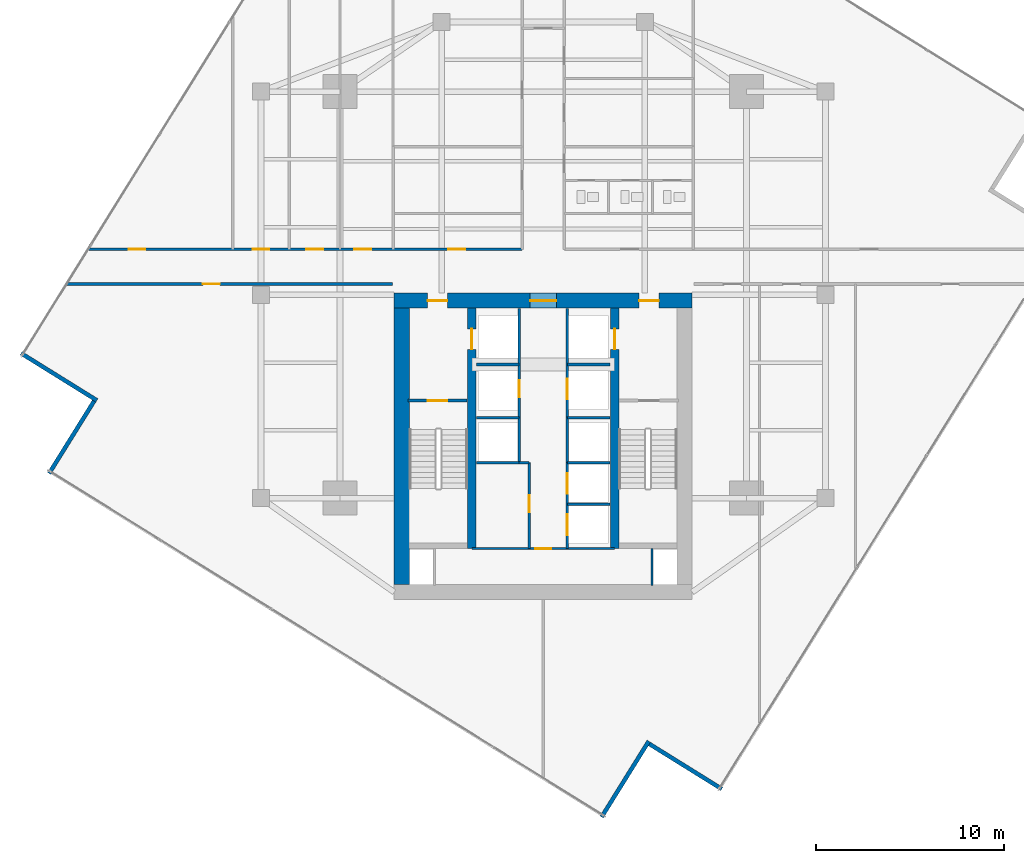
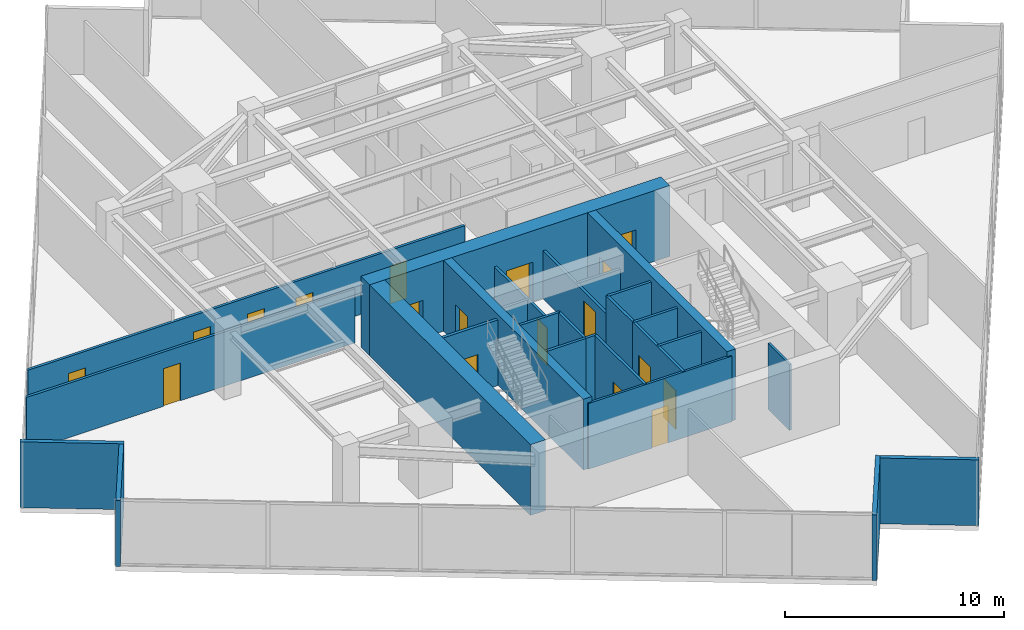
# One storey, part 21 of 25: 27 walls, 18 doors, 18 openings.
"""IFC4 building model written with IfcOpenShell, lengths in metres."""

from ifc_helpers import new_model, si_unit, direction, frame, frame_2d, origin, place, context, subcontext, project, spatial, rectangle, extrude, material, layer, layer_set, type_object, element, fill, save


model = new_model("IFC4")

# Units and contexts
model_context = context("Model", 3, precision=1e-05, world=origin(), true_north=direction((0.0, 1.0)))
body_context = subcontext(model_context, "Body", "Model", "MODEL_VIEW")
ifc_project = project(units=[si_unit("LENGTHUNIT", "METRE"), si_unit("AREAUNIT", "SQUARE_METRE"), si_unit("VOLUMEUNIT", "CUBIC_METRE"), si_unit("PLANEANGLEUNIT", "RADIAN"), si_unit("MASSUNIT", "GRAM", prefix="KILO")], contexts=[model_context])

# Site, building, storey
site_placement = place(None, origin())
site = spatial("IfcSite", under=ifc_project, at=site_placement, CompositionType="ELEMENT")
building_placement = place(site_placement, origin())
building = spatial("IfcBuilding", under=site, at=building_placement, Name="Krantzveldt Concourse Tower", CompositionType="ELEMENT")
storey_placement = place(building_placement, frame((0.0, 0.0, 181.75)))
storey = spatial("IfcBuildingStorey", under=building, at=storey_placement, Name="L44", CompositionType="ELEMENT", Elevation=181.75)

# Walls
ifc_material_1 = material(Name="Anodised aluminium 6063-T6", Category="aluminium")
ifc_layer_1 = layer(ifc_material_1, 0.219970703125, Name="Anodised aluminium 6063-T6", Category="aluminium")
ifc_layer_set_1 = layer_set([ifc_layer_1], Name="Anodised aluminium 6063-T6 (WL-EXT-NOTCH220)")
wall_type_1 = type_object("IfcWallType", Name="WL-EXT-NOTCH220", PredefinedType="ELEMENTEDWALL", material=ifc_layer_set_1)
wall_1_placement = place(storey_placement, frame((8.2509765625, 23.59521484375, 0.0), z_axis=(0.0, 0.0, 1.0), x_axis=(0.84921299194, -0.528050465694, 0.0)))
element("IfcWall", 1, at=wall_1_placement, inside=storey, type_object=wall_type_1, Name="EW-L44-NCH02", PredefinedType="ELEMENTEDWALL", context=body_context, shape_type="SweptSolid", body=[
    extrude(rectangle(XDim=4.7451171875, YDim=0.219970703125, at=frame_2d((2.37255859375, 0.0))), origin(), (0.0, 0.0, 1.0), 3.669921875),
])
wall_2_placement = place(storey_placement, frame((12.12890625, 21.05419921875, 0.0), z_axis=(0.0, 0.0, 1.0), x_axis=(-0.528038242514, -0.849220592333, 0.0)))
element("IfcWall", 2, at=wall_2_placement, inside=storey, type_object=wall_type_1, Name="EW-L44-NCH03", PredefinedType="ELEMENTEDWALL", context=body_context, shape_type="SweptSolid", body=[
    extrude(rectangle(XDim=4.525146484375, YDim=0.219970703125, at=frame_2d((2.2626953125, 0.0))), origin(), (0.0, 0.0, 1.0), 3.669921875),
])
wall_3_placement = place(storey_placement, frame((39.104736328125, -1.049072265625, 0.0), z_axis=(0.0, 0.0, 1.0), x_axis=(0.528087569346, 0.849189919336, 0.0)))
element("IfcWall", 3, at=wall_3_placement, inside=storey, type_object=wall_type_1, Name="EW-L44-NCH05", PredefinedType="ELEMENTEDWALL", context=body_context, shape_type="SweptSolid", body=[
    extrude(rectangle(XDim=4.7451171875, YDim=0.219970703125, at=frame_2d((2.37255859375, 0.0))), origin(), (0.0, 0.0, 1.0), 3.669921875),
])
wall_4_placement = place(storey_placement, frame((41.645751953125, 2.828857421875, 0.0), z_axis=(0.0, 0.0, 1.0), x_axis=(0.849220592333, -0.528038242514, 0.0)))
element("IfcWall", 4, at=wall_4_placement, inside=storey, type_object=wall_type_1, Name="EW-L44-NCH06", PredefinedType="ELEMENTEDWALL", context=body_context, shape_type="SweptSolid", body=[
    extrude(rectangle(XDim=4.525146484375, YDim=0.219970703125, at=frame_2d((2.2626953125, 0.0))), origin(), (0.0, 0.0, 1.0), 3.669921875),
])

# Wall, opening, door
ifc_material_2 = material(Name="Fire-rated gypsum plasterboard on steel stud", Category="steel")
ifc_layer_2 = layer(ifc_material_2, 0.1201171875, Name="Fire-rated gypsum plasterboard on steel stud", Category="steel")
ifc_layer_set_2 = layer_set([ifc_layer_2], Name="Fire-rated gypsum plasterboard on steel stud (WL-PART-120)")
wall_type_2 = type_object("IfcWallType", Name="WL-PART-120", PredefinedType="PARTITIONING", material=ifc_layer_set_2)
wall_5_placement = place(storey_placement, frame((32.2099609375, 13.219970703125, 0.0), z_axis=(0.0, 0.0, 1.0), x_axis=(1.0, 0.0, 0.0)))
wall_5 = element("IfcWall", 5, at=wall_5_placement, inside=storey, type_object=wall_type_2, Name="WP-L44-CS2H", PredefinedType="PARTITIONING", context=body_context, shape_type="SweptSolid", body=[
    extrude(rectangle(XDim=7.580078125, YDim=0.1201171875, at=frame_2d((3.7900390625, 0.0))), origin(), (0.0, 0.0, 1.0), 3.669921875),
])
opening_1_placement = place(wall_5_placement, frame((3.364990234375, 0.0, 0.0)))
opening_1 = element("IfcOpeningElement", 6, at=opening_1_placement, cuts=wall_5, Name="Opening D-IN085", PredefinedType="OPENING", context=body_context, shape_type="SweptSolid", body=[
    extrude(rectangle(XDim=0.85009765625, YDim=2.10009765625, at=frame_2d((0.425048828125, 1.050048828125))), frame((0.0, 0.070068359375, 0.0), z_axis=(0.0, -1.0, 0.0), x_axis=(1.0, 0.0, 0.0)), (0.0, 0.0, 1.0), 0.14013671875),
])
ifc_material_3 = material(Name="Hardwood timber", Category="wood")
door_type_1 = type_object("IfcDoorType", Name="DR-INT-850", OperationType="SINGLE_SWING_LEFT", PredefinedType="DOOR", material=ifc_material_3)
door_1_placement = place(opening_1_placement, origin())
door_1 = element("IfcDoor", 7, at=door_1_placement, inside=storey, type_object=door_type_1, Name="DR-L44-CSC1", OperationType="SINGLE_SWING_RIGHT", OverallHeight=2.10009765625, OverallWidth=0.85009765625, PredefinedType="DOOR", context=body_context, shape_type="SweptSolid", body=[
    extrude(rectangle(XDim=0.85009765625, YDim=2.10009765625, at=frame_2d((0.425048828125, 1.050048828125))), frame((0.0, 0.02490234375, 0.0), z_axis=(0.0, -1.0, 0.0), x_axis=(1.0, 0.0, 0.0)), (0.0, 0.0, 1.0), 0.050048828125),
])
fill(opening_1, door_1)

# Wall, openings, doors
ifc_layer_3 = layer(ifc_material_2, 0.139892578125, Name="Fire-rated gypsum plasterboard on steel stud", Category="steel")
ifc_layer_set_3 = layer_set([ifc_layer_3], Name="Fire-rated gypsum plasterboard on steel stud (WL-PART-140)")
wall_type_3 = type_object("IfcWallType", Name="WL-PART-140", PredefinedType="PARTITIONING", material=ifc_layer_set_3)
wall_6_placement = place(storey_placement, frame((11.822021484375, 29.1201171875, 0.0), z_axis=(0.0, 0.0, 1.0), x_axis=(1.0, 0.0, 0.0)))
wall_6 = element("IfcWall", 8, at=wall_6_placement, inside=storey, type_object=wall_type_3, Name="WP-L44-EWNL", PredefinedType="PARTITIONING", context=body_context, shape_type="SweptSolid", body=[
    extrude(rectangle(XDim=23.057861328125, YDim=0.139892578125, at=frame_2d((11.52880859375, 0.0))), origin(), (0.0, 0.0, 1.0), 3.030029296875),
])
opening_2_placement = place(wall_6_placement, frame((19.128173828125, 0.0, 0.0)))
opening_2 = element("IfcOpeningElement", 9, at=opening_2_placement, cuts=wall_6, Name="Opening D-IN090", PredefinedType="OPENING", context=body_context, shape_type="SweptSolid", body=[
    extrude(rectangle(XDim=0.89990234375, YDim=2.10009765625, at=frame_2d((0.449951171875, 1.050048828125))), frame((0.0, 0.080078125, 0.0), z_axis=(0.0, -1.0, 0.0), x_axis=(1.0, 0.0, 0.0)), (0.0, 0.0, 1.0), 0.159912109375),
])
opening_3_placement = place(wall_6_placement, frame((2.13720703125, 0.0, 0.0)))
opening_3 = element("IfcOpeningElement", 10, at=opening_3_placement, cuts=wall_6, Name="Opening D-IN090", PredefinedType="OPENING", context=body_context, shape_type="SweptSolid", body=[
    extrude(rectangle(XDim=0.89990234375, YDim=2.10009765625, at=frame_2d((0.449951171875, 1.050048828125))), frame((0.0, 0.080078125, 0.0), z_axis=(0.0, -1.0, 0.0), x_axis=(1.0, 0.0, 0.0)), (0.0, 0.0, 1.0), 0.159912109375),
])
opening_4_placement = place(wall_6_placement, frame((8.72802734375, 0.0, 0.0)))
opening_4 = element("IfcOpeningElement", 11, at=opening_4_placement, cuts=wall_6, Name="Opening D-IN090", PredefinedType="OPENING", context=body_context, shape_type="SweptSolid", body=[
    extrude(rectangle(XDim=0.89990234375, YDim=2.10009765625, at=frame_2d((0.449951171875, 1.050048828125))), frame((0.0, 0.080078125, 0.0), z_axis=(0.0, -1.0, 0.0), x_axis=(1.0, 0.0, 0.0)), (0.0, 0.0, 1.0), 0.159912109375),
])
opening_5_placement = place(wall_6_placement, frame((11.578125, 0.0, 0.0)))
opening_5 = element("IfcOpeningElement", 12, at=opening_5_placement, cuts=wall_6, Name="Opening D-IN090", PredefinedType="OPENING", context=body_context, shape_type="SweptSolid", body=[
    extrude(rectangle(XDim=0.89990234375, YDim=2.10009765625, at=frame_2d((0.449951171875, 1.050048828125))), frame((0.0, 0.080078125, 0.0), z_axis=(0.0, -1.0, 0.0), x_axis=(1.0, 0.0, 0.0)), (0.0, 0.0, 1.0), 0.159912109375),
])
opening_6_placement = place(wall_6_placement, frame((14.128173828125, 0.0, 0.0)))
opening_6 = element("IfcOpeningElement", 13, at=opening_6_placement, cuts=wall_6, Name="Opening D-IN090", PredefinedType="OPENING", context=body_context, shape_type="SweptSolid", body=[
    extrude(rectangle(XDim=0.89990234375, YDim=2.10009765625, at=frame_2d((0.449951171875, 1.050048828125))), frame((0.0, 0.080078125, 0.0), z_axis=(0.0, -1.0, 0.0), x_axis=(1.0, 0.0, 0.0)), (0.0, 0.0, 1.0), 0.159912109375),
])
door_type_2 = type_object("IfcDoorType", Name="DR-INT-900", OperationType="SINGLE_SWING_LEFT", PredefinedType="DOOR", material=ifc_material_3)
door_2_placement = place(opening_2_placement, origin())
door_2 = element("IfcDoor", 14, at=door_2_placement, inside=storey, type_object=door_type_2, Name="DR-L44-ALCL", OperationType="SINGLE_SWING_LEFT", OverallHeight=2.10009765625, OverallWidth=0.89990234375, PredefinedType="DOOR", context=body_context, shape_type="SweptSolid", body=[
    extrude(rectangle(XDim=0.89990234375, YDim=2.10009765625, at=frame_2d((0.449951171875, 1.050048828125))), frame((0.0, 0.02490234375, 0.0), z_axis=(0.0, -1.0, 0.0), x_axis=(1.0, 0.0, 0.0)), (0.0, 0.0, 1.0), 0.050048828125),
])
fill(opening_2, door_2)
door_3_placement = place(opening_3_placement, origin())
door_3 = element("IfcDoor", 15, at=door_3_placement, inside=storey, type_object=door_type_2, Name="DR-L44-NWX1", OperationType="SINGLE_SWING_LEFT", OverallHeight=2.10009765625, OverallWidth=0.89990234375, PredefinedType="DOOR", context=body_context, shape_type="SweptSolid", body=[
    extrude(rectangle(XDim=0.89990234375, YDim=2.10009765625, at=frame_2d((0.449951171875, 1.050048828125))), frame((0.0, 0.02490234375, 0.0), z_axis=(0.0, -1.0, 0.0), x_axis=(1.0, 0.0, 0.0)), (0.0, 0.0, 1.0), 0.050048828125),
])
fill(opening_3, door_3)
door_4_placement = place(opening_4_placement, origin())
door_4 = element("IfcDoor", 16, at=door_4_placement, inside=storey, type_object=door_type_2, Name="DR-L44-NWX2", OperationType="SINGLE_SWING_LEFT", OverallHeight=2.10009765625, OverallWidth=0.89990234375, PredefinedType="DOOR", context=body_context, shape_type="SweptSolid", body=[
    extrude(rectangle(XDim=0.89990234375, YDim=2.10009765625, at=frame_2d((0.449951171875, 1.050048828125))), frame((0.0, 0.02490234375, 0.0), z_axis=(0.0, -1.0, 0.0), x_axis=(1.0, 0.0, 0.0)), (0.0, 0.0, 1.0), 0.050048828125),
])
fill(opening_4, door_4)
door_5_placement = place(opening_5_placement, origin())
door_5 = element("IfcDoor", 17, at=door_5_placement, inside=storey, type_object=door_type_2, Name="DR-L44-NWX3", OperationType="SINGLE_SWING_LEFT", OverallHeight=2.10009765625, OverallWidth=0.89990234375, PredefinedType="DOOR", context=body_context, shape_type="SweptSolid", body=[
    extrude(rectangle(XDim=0.89990234375, YDim=2.10009765625, at=frame_2d((0.449951171875, 1.050048828125))), frame((0.0, 0.02490234375, 0.0), z_axis=(0.0, -1.0, 0.0), x_axis=(1.0, 0.0, 0.0)), (0.0, 0.0, 1.0), 0.050048828125),
])
fill(opening_5, door_5)
door_6_placement = place(opening_6_placement, origin())
door_6 = element("IfcDoor", 18, at=door_6_placement, inside=storey, type_object=door_type_2, Name="DR-L44-NWX4", OperationType="SINGLE_SWING_LEFT", OverallHeight=2.10009765625, OverallWidth=0.89990234375, PredefinedType="DOOR", context=body_context, shape_type="SweptSolid", body=[
    extrude(rectangle(XDim=0.89990234375, YDim=2.10009765625, at=frame_2d((0.449951171875, 1.050048828125))), frame((0.0, 0.02490234375, 0.0), z_axis=(0.0, -1.0, 0.0), x_axis=(1.0, 0.0, 0.0)), (0.0, 0.0, 1.0), 0.050048828125),
])
fill(opening_6, door_6)

# Wall, opening, door
wall_7_placement = place(storey_placement, frame((10.677734375, 27.280029296875, 0.0), z_axis=(0.0, 0.0, 1.0), x_axis=(1.0, 0.0, 0.0)))
wall_7 = element("IfcWall", 19, at=wall_7_placement, inside=storey, type_object=wall_type_3, Name="WP-L44-EWSL", PredefinedType="PARTITIONING", context=body_context, shape_type="SweptSolid", body=[
    extrude(rectangle(XDim=17.322265625, YDim=0.139892578125, at=frame_2d((8.6611328125, 0.0))), origin(), (0.0, 0.0, 1.0), 3.030029296875),
])
opening_7_placement = place(wall_7_placement, frame((7.231201171875, 0.0, 0.0)))
opening_7 = element("IfcOpeningElement", 20, at=opening_7_placement, cuts=wall_7, Name="Opening D-IN090", PredefinedType="OPENING", context=body_context, shape_type="SweptSolid", body=[
    extrude(rectangle(XDim=0.89990234375, YDim=2.10009765625, at=frame_2d((0.449951171875, 1.050048828125))), frame((0.0, 0.080078125, 0.0), z_axis=(0.0, -1.0, 0.0), x_axis=(1.0, 0.0, 0.0)), (0.0, 0.0, 1.0), 0.159912109375),
])
door_7_placement = place(opening_7_placement, origin())
door_7 = element("IfcDoor", 21, at=door_7_placement, inside=storey, type_object=door_type_2, Name="DR-L44-SWX1", OperationType="SINGLE_SWING_LEFT", OverallHeight=2.10009765625, OverallWidth=0.89990234375, PredefinedType="DOOR", context=body_context, shape_type="SweptSolid", body=[
    extrude(rectangle(XDim=0.89990234375, YDim=2.10009765625, at=frame_2d((0.449951171875, 1.050048828125))), frame((0.0, 0.02490234375, 0.0), z_axis=(0.0, -1.0, 0.0), x_axis=(1.0, 0.0, 0.0)), (0.0, 0.0, 1.0), 0.050048828125),
])
fill(opening_7, door_7)

ifc_layer_4 = layer(ifc_material_2, 0.139892578125, Name="Fire-rated gypsum plasterboard on steel stud", Category="steel")
ifc_layer_set_4 = layer_set([ifc_layer_4], Name="Fire-rated gypsum plasterboard on steel stud (WL-PART-FR140)")
wall_type_4 = type_object("IfcWallType", Name="WL-PART-FR140", PredefinedType="PARTITIONING", material=ifc_layer_set_4)
wall_8_placement = place(storey_placement, frame((34.719970703125, 20.199951171875, 0.0), z_axis=(0.0, 0.0, 1.0), x_axis=(0.0, 1.0, 0.0)))
wall_8 = element("IfcWall", 22, at=wall_8_placement, inside=storey, type_object=wall_type_4, Name="WP-L44-SHNW", PredefinedType="PARTITIONING", context=body_context, shape_type="SweptSolid", body=[
    extrude(rectangle(XDim=5.780029296875, YDim=0.139892578125, at=frame_2d((2.89013671875, 0.0))), origin(), (0.0, 0.0, 1.0), 2.669921875),
])
opening_8_placement = place(wall_8_placement, frame((1.050048828125, 0.0, 0.0)))
opening_8 = element("IfcOpeningElement", 23, at=opening_8_placement, cuts=wall_8, Name="Opening D-FD090", PredefinedType="OPENING", context=body_context, shape_type="SweptSolid", body=[
    extrude(rectangle(XDim=0.89990234375, YDim=2.10009765625, at=frame_2d((0.449951171875, 1.050048828125))), frame((0.0, 0.080078125, 0.0), z_axis=(0.0, -1.0, 0.0), x_axis=(1.0, 0.0, 0.0)), (0.0, 0.0, 1.0), 0.159912109375),
])
door_type_3 = type_object("IfcDoorType", Name="DR-FD60-900", OperationType="SINGLE_SWING_LEFT", PredefinedType="DOOR", material=ifc_material_3)
door_8_placement = place(opening_8_placement, origin())
door_8 = element("IfcDoor", 24, at=door_8_placement, inside=storey, type_object=door_type_3, Name="Electrical Riser Access Door L44", OperationType="SINGLE_SWING_LEFT", OverallHeight=2.10009765625, OverallWidth=0.89990234375, PredefinedType="DOOR", context=body_context, shape_type="SweptSolid", body=[
    extrude(rectangle(XDim=0.89990234375, YDim=2.10009765625, at=frame_2d((0.449951171875, 1.050048828125))), frame((0.0, 0.02490234375, 0.0), z_axis=(0.0, -1.0, 0.0), x_axis=(1.0, 0.0, 0.0)), (0.0, 0.0, 1.0), 0.050048828125),
])
fill(opening_8, door_8)

wall_9_placement = place(storey_placement, frame((37.280029296875, 20.199951171875, 0.0), z_axis=(0.0, 0.0, 1.0), x_axis=(0.0, 1.0, 0.0)))
wall_9 = element("IfcWall", 25, at=wall_9_placement, inside=storey, type_object=wall_type_4, Name="WP-L44-SHNE", PredefinedType="PARTITIONING", context=body_context, shape_type="SweptSolid", body=[
    extrude(rectangle(XDim=5.780029296875, YDim=0.139892578125, at=frame_2d((2.89013671875, 0.0))), origin(), (0.0, 0.0, 1.0), 2.669921875),
])
opening_9_placement = place(wall_9_placement, frame((0.949951171875, 0.0, 0.0)))
opening_9 = element("IfcOpeningElement", 26, at=opening_9_placement, cuts=wall_9, Name="Opening LD", PredefinedType="OPENING", context=body_context, shape_type="SweptSolid", body=[
    extrude(rectangle(XDim=1.10009765625, YDim=2.14990234375, at=frame_2d((0.550048828125, 1.074951171875))), frame((0.0, 0.080078125, 0.0), z_axis=(0.0, -1.0, 0.0), x_axis=(1.0, 0.0, 0.0)), (0.0, 0.0, 1.0), 0.159912109375),
])
ifc_material_4 = material(Name="Stainless steel 316L", Category="steel")
door_type_4 = type_object("IfcDoorType", Name="DR-SLIDE-LD1100", OperationType="DOUBLE_DOOR_SLIDING", PredefinedType="DOOR", material=ifc_material_4)
door_9_placement = place(opening_9_placement, origin())
door_9 = element("IfcDoor", 27, at=door_9_placement, inside=storey, type_object=door_type_4, Name="LD-L44-GL1", OperationType="DOUBLE_DOOR_SLIDING", OverallHeight=2.14990234375, OverallWidth=1.10009765625, PredefinedType="DOOR", context=body_context, shape_type="SweptSolid", body=[
    extrude(rectangle(XDim=1.10009765625, YDim=2.14990234375, at=frame_2d((0.550048828125, 1.074951171875))), frame((0.0, 0.02490234375, 0.0), z_axis=(0.0, -1.0, 0.0), x_axis=(1.0, 0.0, 0.0)), (0.0, 0.0, 1.0), 0.050048828125),
])
fill(opening_9, door_9)

# Walls
for number, where, z_axis, x_axis, name in (
    (28, (32.449951171875, 23.0, 0.0), (0.0, 0.0, 1.0), (1.0, 0.0, 0.0), "WP-L44-RISH"),
    (29, (37.280029296875, 23.0, 0.0), (0.0, 0.0, 1.0), (1.0, 0.0, 0.0), "WP-L44-GLH"),
):
    element("IfcWall", number, at=place(storey_placement, frame(where, z_axis=z_axis, x_axis=x_axis)), inside=storey, type_object=wall_type_4, Name=name, PredefinedType="PARTITIONING", context=body_context, shape_type="SweptSolid", body=[
        extrude(rectangle(XDim=2.27001953125, YDim=0.139892578125, at=frame_2d((1.135009765625, 0.0))), origin(), (0.0, 0.0, 1.0), 2.669921875),
    ])
for number, where, z_axis, x_axis, name in (
    (30, (34.719970703125, 17.780029296875, 0.0), (0.0, 0.0, 1.0), (0.0, 1.0, 0.0), "WP-L44-SHNW2"),
    (31, (37.280029296875, 17.780029296875, 0.0), (0.0, 0.0, 1.0), (0.0, 1.0, 0.0), "WP-L44-SHNE2"),
):
    element("IfcWall", number, at=place(storey_placement, frame(where, z_axis=z_axis, x_axis=x_axis)), inside=storey, type_object=wall_type_4, Name=name, PredefinedType="PARTITIONING", context=body_context, shape_type="SweptSolid", body=[
        extrude(rectangle(XDim=2.419921875, YDim=0.139892578125, at=frame_2d((1.2099609375, 0.0))), origin(), (0.0, 0.0, 1.0), 3.669921875),
    ])
for number, where, z_axis, x_axis, name in (
    (32, (32.449951171875, 17.780029296875, 0.0), (0.0, 0.0, 1.0), (1.0, 0.0, 0.0), "WP-L44-DIVW2"),
    (33, (32.449951171875, 20.179931640625, 0.0), (0.0, 0.0, 1.0), (1.0, 0.0, 0.0), "WP-L44-DIVW3"),
    (34, (37.280029296875, 17.780029296875, 0.0), (0.0, 0.0, 1.0), (1.0, 0.0, 0.0), "WP-L44-DIVE2"),
    (35, (37.280029296875, 20.179931640625, 0.0), (0.0, 0.0, 1.0), (1.0, 0.0, 0.0), "WP-L44-DIVE3"),
):
    element("IfcWall", number, at=place(storey_placement, frame(where, z_axis=z_axis, x_axis=x_axis)), inside=storey, type_object=wall_type_4, Name=name, PredefinedType="PARTITIONING", context=body_context, shape_type="SweptSolid", body=[
        extrude(rectangle(XDim=2.27001953125, YDim=0.139892578125, at=frame_2d((1.135009765625, 0.0))), origin(), (0.0, 0.0, 1.0), 3.669921875),
    ])

# Wall, opening, door
wall_10_placement = place(storey_placement, frame((35.25, 13.219970703125, 0.0), z_axis=(0.0, 0.0, 1.0), x_axis=(0.0, 1.0, 0.0)))
wall_10 = element("IfcWall", 36, at=wall_10_placement, inside=storey, type_object=wall_type_4, Name="WP-L44-RECW", PredefinedType="PARTITIONING", context=body_context, shape_type="SweptSolid", body=[
    extrude(rectangle(XDim=4.56005859375, YDim=0.139892578125, at=frame_2d((2.280029296875, 0.0))), origin(), (0.0, 0.0, 1.0), 3.669921875),
])
opening_10_placement = place(wall_10_placement, frame((1.929931640625, 0.0, 0.0)))
opening_10 = element("IfcOpeningElement", 37, at=opening_10_placement, cuts=wall_10, Name="Opening D-FD090", PredefinedType="OPENING", context=body_context, shape_type="SweptSolid", body=[
    extrude(rectangle(XDim=0.89990234375, YDim=2.10009765625, at=frame_2d((0.449951171875, 1.050048828125))), frame((0.0, 0.080078125, 0.0), z_axis=(0.0, -1.0, 0.0), x_axis=(1.0, 0.0, 0.0)), (0.0, 0.0, 1.0), 0.159912109375),
])
door_10_placement = place(opening_10_placement, origin())
door_10 = element("IfcDoor", 38, at=door_10_placement, inside=storey, type_object=door_type_3, Name="DR-L44-RECW", OperationType="SINGLE_SWING_LEFT", OverallHeight=2.10009765625, OverallWidth=0.89990234375, PredefinedType="DOOR", context=body_context, shape_type="SweptSolid", body=[
    extrude(rectangle(XDim=0.89990234375, YDim=2.10009765625, at=frame_2d((0.449951171875, 1.050048828125))), frame((0.0, 0.02490234375, 0.0), z_axis=(0.0, -1.0, 0.0), x_axis=(1.0, 0.0, 0.0)), (0.0, 0.0, 1.0), 0.050048828125),
])
fill(opening_10, door_10)

# Wall
wall_11_placement = place(storey_placement, frame((34.719970703125, 17.780029296875, 0.0), z_axis=(0.0, 0.0, 1.0), x_axis=(1.0, 0.0, 0.0)))
element("IfcWall", 39, at=wall_11_placement, inside=storey, type_object=wall_type_4, Name="WP-L44-RECWN", PredefinedType="PARTITIONING", context=body_context, shape_type="SweptSolid", body=[
    extrude(rectangle(XDim=0.530029296875, YDim=0.139892578125, at=frame_2d((0.26513671875, 0.0))), origin(), (0.0, 0.0, 1.0), 3.669921875),
])

# Wall, openings, doors
wall_12_placement = place(storey_placement, frame((37.280029296875, 13.219970703125, 0.0), z_axis=(0.0, 0.0, 1.0), x_axis=(0.0, 1.0, 0.0)))
wall_12 = element("IfcWall", 40, at=wall_12_placement, inside=storey, type_object=wall_type_4, Name="WP-L44-SHSE", PredefinedType="PARTITIONING", context=body_context, shape_type="SweptSolid", body=[
    extrude(rectangle(XDim=4.56005859375, YDim=0.139892578125, at=frame_2d((2.280029296875, 0.0))), origin(), (0.0, 0.0, 1.0), 3.669921875),
])
opening_11_placement = place(wall_12_placement, frame((0.7099609375, 0.0, 0.0)))
opening_11 = element("IfcOpeningElement", 41, at=opening_11_placement, cuts=wall_12, Name="Opening LD", PredefinedType="OPENING", context=body_context, shape_type="SweptSolid", body=[
    extrude(rectangle(XDim=1.10009765625, YDim=2.14990234375, at=frame_2d((0.550048828125, 1.074951171875))), frame((0.0, 0.080078125, 0.0), z_axis=(0.0, -1.0, 0.0), x_axis=(1.0, 0.0, 0.0)), (0.0, 0.0, 1.0), 0.159912109375),
])
opening_12_placement = place(wall_12_placement, frame((2.909912109375, 0.0, 0.0)))
opening_12 = element("IfcOpeningElement", 42, at=opening_12_placement, cuts=wall_12, Name="Opening LD", PredefinedType="OPENING", context=body_context, shape_type="SweptSolid", body=[
    extrude(rectangle(XDim=1.10009765625, YDim=2.14990234375, at=frame_2d((0.550048828125, 1.074951171875))), frame((0.0, 0.080078125, 0.0), z_axis=(0.0, -1.0, 0.0), x_axis=(1.0, 0.0, 0.0)), (0.0, 0.0, 1.0), 0.159912109375),
])
door_11_placement = place(opening_11_placement, origin())
door_11 = element("IfcDoor", 43, at=door_11_placement, inside=storey, type_object=door_type_4, Name="LD-L44-PM1", OperationType="DOUBLE_DOOR_SLIDING", OverallHeight=2.14990234375, OverallWidth=1.10009765625, PredefinedType="DOOR", context=body_context, shape_type="SweptSolid", body=[
    extrude(rectangle(XDim=1.10009765625, YDim=2.14990234375, at=frame_2d((0.550048828125, 1.074951171875))), frame((0.0, 0.02490234375, 0.0), z_axis=(0.0, -1.0, 0.0), x_axis=(1.0, 0.0, 0.0)), (0.0, 0.0, 1.0), 0.050048828125),
])
fill(opening_11, door_11)
door_12_placement = place(opening_12_placement, origin())
door_12 = element("IfcDoor", 44, at=door_12_placement, inside=storey, type_object=door_type_4, Name="LD-L44-PM2", OperationType="DOUBLE_DOOR_SLIDING", OverallHeight=2.14990234375, OverallWidth=1.10009765625, PredefinedType="DOOR", context=body_context, shape_type="SweptSolid", body=[
    extrude(rectangle(XDim=1.10009765625, YDim=2.14990234375, at=frame_2d((0.550048828125, 1.074951171875))), frame((0.0, 0.02490234375, 0.0), z_axis=(0.0, -1.0, 0.0), x_axis=(1.0, 0.0, 0.0)), (0.0, 0.0, 1.0), 0.050048828125),
])
fill(opening_12, door_12)

# Walls
wall_13_placement = place(storey_placement, frame((37.280029296875, 15.580078125, 0.0), z_axis=(0.0, 0.0, 1.0), x_axis=(1.0, 0.0, 0.0)))
element("IfcWall", 45, at=wall_13_placement, inside=storey, type_object=wall_type_4, Name="WP-L44-DIVE1", PredefinedType="PARTITIONING", context=body_context, shape_type="SweptSolid", body=[
    extrude(rectangle(XDim=2.27001953125, YDim=0.139892578125, at=frame_2d((1.135009765625, 0.0))), origin(), (0.0, 0.0, 1.0), 3.669921875),
])
wall_14_placement = place(storey_placement, frame((41.780029296875, 11.25, 0.0), z_axis=(0.0, 0.0, 1.0), x_axis=(0.0, 1.0, 0.0)))
element("IfcWall", 46, at=wall_14_placement, inside=storey, type_object=wall_type_4, Name="WP-L44-RSE", PredefinedType="PARTITIONING", context=body_context, shape_type="SweptSolid", body=[
    extrude(rectangle(XDim=1.969970703125, YDim=0.1201171875, at=frame_2d((0.98486328125, 0.0))), origin(), (0.0, 0.0, 1.0), 3.669921875),
])

# Wall, opening, door
ifc_layer_5 = layer(ifc_material_2, 0.159912109375, Name="Fire-rated gypsum plasterboard on steel stud", Category="steel")
ifc_layer_set_5 = layer_set([ifc_layer_5], Name="Fire-rated gypsum plasterboard on steel stud (WL-PART-FR160)")
wall_type_5 = type_object("IfcWallType", Name="WL-PART-FR160", PredefinedType="PARTITIONING", material=ifc_layer_set_5)
wall_15_placement = place(storey_placement, frame((28.800048828125, 21.080078125, 0.0), z_axis=(0.0, 0.0, 1.0), x_axis=(1.0, 0.0, 0.0)))
wall_15 = element("IfcWall", 47, at=wall_15_placement, inside=storey, type_object=wall_type_5, Name="WP-L44-ST1", PredefinedType="PARTITIONING", context=body_context, shape_type="SweptSolid", body=[
    extrude(rectangle(XDim=3.159912109375, YDim=0.159912109375, at=frame_2d((1.580078125, 0.0))), origin(), (0.0, 0.0, 1.0), 3.669921875),
])
opening_13_placement = place(wall_15_placement, frame((1.054931640625, 0.0, 0.0)))
opening_13 = element("IfcOpeningElement", 48, at=opening_13_placement, cuts=wall_15, Name="Opening D-FD105", PredefinedType="OPENING", context=body_context, shape_type="SweptSolid", body=[
    extrude(rectangle(XDim=1.050048828125, YDim=2.10009765625, at=frame_2d((0.52490234375, 1.050048828125))), frame((0.0, 0.08984375, 0.0), z_axis=(0.0, -1.0, 0.0), x_axis=(1.0, 0.0, 0.0)), (0.0, 0.0, 1.0), 0.179931640625),
])
ifc_material_5 = material(Name="Galvanised steel", Category="steel")
door_type_5 = type_object("IfcDoorType", Name="DR-FD120-1050", OperationType="SINGLE_SWING_LEFT", PredefinedType="DOOR", material=ifc_material_5)
door_13_placement = place(opening_13_placement, origin())
door_13 = element("IfcDoor", 49, at=door_13_placement, inside=storey, type_object=door_type_5, Name="DR-L44-ST1", OperationType="SINGLE_SWING_RIGHT", OverallHeight=2.10009765625, OverallWidth=1.050048828125, PredefinedType="DOOR", context=body_context, shape_type="SweptSolid", body=[
    extrude(rectangle(XDim=1.050048828125, YDim=2.10009765625, at=frame_2d((0.52490234375, 1.050048828125))), frame((0.0, 0.02490234375, 0.0), z_axis=(0.0, -1.0, 0.0), x_axis=(1.0, 0.0, 0.0)), (0.0, 0.0, 1.0), 0.050048828125),
])
fill(opening_13, door_13)

ifc_material_6 = material(Name="Concrete C50/60", Category="concrete")
ifc_layer_6 = layer(ifc_material_6, 0.449951171875, Name="Concrete C50/60", Category="concrete")
ifc_layer_set_6 = layer_set([ifc_layer_6], Name="Concrete C50/60 (WL-SHEAR-450)")
wall_type_6 = type_object("IfcWallType", Name="WL-SHEAR-450", PredefinedType="SHEAR", material=ifc_layer_set_6)
wall_16_placement = place(storey_placement, frame((32.205078125, 13.219970703125, 0.0), z_axis=(0.0, 0.0, 1.0), x_axis=(0.0, 1.0, 0.0)))
wall_16 = element("IfcWall", 50, at=wall_16_placement, inside=storey, type_object=wall_type_6, Name="CW-L44-IW", PredefinedType="SHEAR", context=body_context, shape_type="SweptSolid", body=[
    extrude(rectangle(XDim=12.780029296875, YDim=0.449951171875, at=frame_2d((6.39013671875, 0.0))), origin(), (0.0, 0.0, 1.0), 3.949951171875),
])
opening_14_placement = place(wall_16_placement, frame((10.580078125, 0.0, 0.0)))
opening_14 = element("IfcOpeningElement", 51, at=opening_14_placement, cuts=wall_16, Name="Opening LD", PredefinedType="OPENING", context=body_context, shape_type="SweptSolid", body=[
    extrude(rectangle(XDim=1.10009765625, YDim=2.14990234375, at=frame_2d((0.550048828125, 1.074951171875))), frame((0.0, 0.23486328125, 0.0), z_axis=(0.0, -1.0, 0.0), x_axis=(1.0, 0.0, 0.0)), (0.0, 0.0, 1.0), 0.469970703125),
])
door_14_placement = place(opening_14_placement, origin())
door_14 = element("IfcDoor", 52, at=door_14_placement, inside=storey, type_object=door_type_4, Name="LD-L44-FL1", OperationType="DOUBLE_DOOR_SLIDING", OverallHeight=2.14990234375, OverallWidth=1.10009765625, PredefinedType="DOOR", context=body_context, shape_type="SweptSolid", body=[
    extrude(rectangle(XDim=1.10009765625, YDim=2.14990234375, at=frame_2d((0.550048828125, 1.074951171875))), frame((0.0, 0.02490234375, 0.0), z_axis=(0.0, -1.0, 0.0), x_axis=(1.0, 0.0, 0.0)), (0.0, 0.0, 1.0), 0.050048828125),
])
fill(opening_14, door_14)

wall_17_placement = place(storey_placement, frame((39.794921875, 13.219970703125, 0.0), z_axis=(0.0, 0.0, 1.0), x_axis=(0.0, 1.0, 0.0)))
wall_17 = element("IfcWall", 53, at=wall_17_placement, inside=storey, type_object=wall_type_6, Name="CW-L44-IE", PredefinedType="SHEAR", context=body_context, shape_type="SweptSolid", body=[
    extrude(rectangle(XDim=12.780029296875, YDim=0.449951171875, at=frame_2d((6.39013671875, 0.0))), origin(), (0.0, 0.0, 1.0), 3.949951171875),
])
opening_15_placement = place(wall_17_placement, frame((10.580078125, 0.0, 0.0)))
opening_15 = element("IfcOpeningElement", 54, at=opening_15_placement, cuts=wall_17, Name="Opening LD", PredefinedType="OPENING", context=body_context, shape_type="SweptSolid", body=[
    extrude(rectangle(XDim=1.10009765625, YDim=2.14990234375, at=frame_2d((0.550048828125, 1.074951171875))), frame((0.0, 0.23486328125, 0.0), z_axis=(0.0, -1.0, 0.0), x_axis=(1.0, 0.0, 0.0)), (0.0, 0.0, 1.0), 0.469970703125),
])
door_15_placement = place(opening_15_placement, origin())
door_15 = element("IfcDoor", 55, at=door_15_placement, inside=storey, type_object=door_type_4, Name="LD-L44-FL2", OperationType="DOUBLE_DOOR_SLIDING", OverallHeight=2.14990234375, OverallWidth=1.10009765625, PredefinedType="DOOR", context=body_context, shape_type="SweptSolid", body=[
    extrude(rectangle(XDim=1.10009765625, YDim=2.14990234375, at=frame_2d((0.550048828125, 1.074951171875))), frame((0.0, 0.02490234375, 0.0), z_axis=(0.0, -1.0, 0.0), x_axis=(1.0, 0.0, 0.0)), (0.0, 0.0, 1.0), 0.050048828125),
])
fill(opening_15, door_15)

# Wall, openings, doors
ifc_material_7 = material(Name="Concrete C60/75", Category="concrete")
ifc_layer_7 = layer(ifc_material_7, 0.800048828125, Name="Concrete C60/75", Category="concrete")
ifc_layer_set_7 = layer_set([ifc_layer_7], Name="Concrete C60/75 (WL-SHEAR-800)")
wall_type_7 = type_object("IfcWallType", Name="WL-SHEAR-800", PredefinedType="SHEAR", material=ifc_layer_set_7)
wall_18_placement = place(storey_placement, frame((28.080078125, 26.39990234375, 0.0), z_axis=(0.0, 0.0, 1.0), x_axis=(1.0, 0.0, 0.0)))
wall_18 = element("IfcWall", 56, at=wall_18_placement, inside=storey, type_object=wall_type_7, Name="CW-L44-N", PredefinedType="SHEAR", context=body_context, shape_type="SweptSolid", body=[
    extrude(rectangle(XDim=15.83984375, YDim=0.800048828125, at=frame_2d((7.919921875, 0.0))), origin(), (0.0, 0.0, 1.0), 3.949951171875),
])
opening_16_placement = place(wall_18_placement, frame((7.219970703125, 0.0, 0.0)))
opening_16 = element("IfcOpeningElement", 57, at=opening_16_placement, cuts=wall_18, Name="Opening D-DB140", PredefinedType="OPENING", context=body_context, shape_type="SweptSolid", body=[
    extrude(rectangle(XDim=1.39990234375, YDim=2.199951171875, at=frame_2d((0.699951171875, 1.10009765625))), frame((0.0, 0.41015625, 0.0), z_axis=(0.0, -1.0, 0.0), x_axis=(1.0, 0.0, 0.0)), (0.0, 0.0, 1.0), 0.820068359375),
])
opening_17_placement = place(wall_18_placement, frame((1.77490234375, 0.0, 0.0)))
opening_17 = element("IfcOpeningElement", 58, at=opening_17_placement, cuts=wall_18, Name="Opening D-FD105", PredefinedType="OPENING", context=body_context, shape_type="SweptSolid", body=[
    extrude(rectangle(XDim=1.050048828125, YDim=2.10009765625, at=frame_2d((0.52490234375, 1.050048828125))), frame((0.0, 0.41015625, 0.0), z_axis=(0.0, -1.0, 0.0), x_axis=(1.0, 0.0, 0.0)), (0.0, 0.0, 1.0), 0.820068359375),
])
opening_18_placement = place(wall_18_placement, frame((13.014892578125, 0.0, 0.0)))
opening_18 = element("IfcOpeningElement", 59, at=opening_18_placement, cuts=wall_18, Name="Opening D-FD105", PredefinedType="OPENING", context=body_context, shape_type="SweptSolid", body=[
    extrude(rectangle(XDim=1.050048828125, YDim=2.10009765625, at=frame_2d((0.52490234375, 1.050048828125))), frame((0.0, 0.41015625, 0.0), z_axis=(0.0, -1.0, 0.0), x_axis=(1.0, 0.0, 0.0)), (0.0, 0.0, 1.0), 0.820068359375),
])
door_type_6 = type_object("IfcDoorType", Name="DR-DBL-1400", OperationType="DOUBLE_DOOR_SINGLE_SWING", PredefinedType="DOOR", material=ifc_material_1)
door_16_placement = place(opening_16_placement, origin())
door_16 = element("IfcDoor", 60, at=door_16_placement, inside=storey, type_object=door_type_6, Name="DR-L44-LLB", OperationType="DOUBLE_DOOR_SINGLE_SWING", OverallHeight=2.199951171875, OverallWidth=1.39990234375, PredefinedType="DOOR", context=body_context, shape_type="SweptSolid", body=[
    extrude(rectangle(XDim=1.39990234375, YDim=2.199951171875, at=frame_2d((0.699951171875, 1.10009765625))), frame((0.0, 0.02490234375, 0.0), z_axis=(0.0, -1.0, 0.0), x_axis=(1.0, 0.0, 0.0)), (0.0, 0.0, 1.0), 0.050048828125),
])
fill(opening_16, door_16)
door_17_placement = place(opening_17_placement, origin())
door_17 = element("IfcDoor", 61, at=door_17_placement, inside=storey, type_object=door_type_5, Name="DR-L44-FFL1", OperationType="SINGLE_SWING_LEFT", OverallHeight=2.10009765625, OverallWidth=1.050048828125, PredefinedType="DOOR", context=body_context, shape_type="SweptSolid", body=[
    extrude(rectangle(XDim=1.050048828125, YDim=2.10009765625, at=frame_2d((0.52490234375, 1.050048828125))), frame((0.0, 0.02490234375, 0.0), z_axis=(0.0, -1.0, 0.0), x_axis=(1.0, 0.0, 0.0)), (0.0, 0.0, 1.0), 0.050048828125),
])
fill(opening_17, door_17)
door_18_placement = place(opening_18_placement, origin())
door_18 = element("IfcDoor", 62, at=door_18_placement, inside=storey, type_object=door_type_5, Name="DR-L44-FFL2", OperationType="SINGLE_SWING_RIGHT", OverallHeight=2.10009765625, OverallWidth=1.050048828125, PredefinedType="DOOR", context=body_context, shape_type="SweptSolid", body=[
    extrude(rectangle(XDim=1.050048828125, YDim=2.10009765625, at=frame_2d((0.52490234375, 1.050048828125))), frame((0.0, 0.02490234375, 0.0), z_axis=(0.0, -1.0, 0.0), x_axis=(1.0, 0.0, 0.0)), (0.0, 0.0, 1.0), 0.050048828125),
])
fill(opening_18, door_18)

# Wall
wall_19_placement = place(storey_placement, frame((28.47998046875, 11.300048828125, 0.0), z_axis=(0.0, 0.0, 1.0), x_axis=(0.0, 1.0, 0.0)))
element("IfcWall", 63, at=wall_19_placement, inside=storey, type_object=wall_type_7, Name="CW-L44-W", PredefinedType="SHEAR", context=body_context, shape_type="SweptSolid", body=[
    extrude(rectangle(XDim=14.699951171875, YDim=0.800048828125, at=frame_2d((7.35009765625, 0.0))), origin(), (0.0, 0.0, 1.0), 3.949951171875),
])

save(model, "model.ifc")
